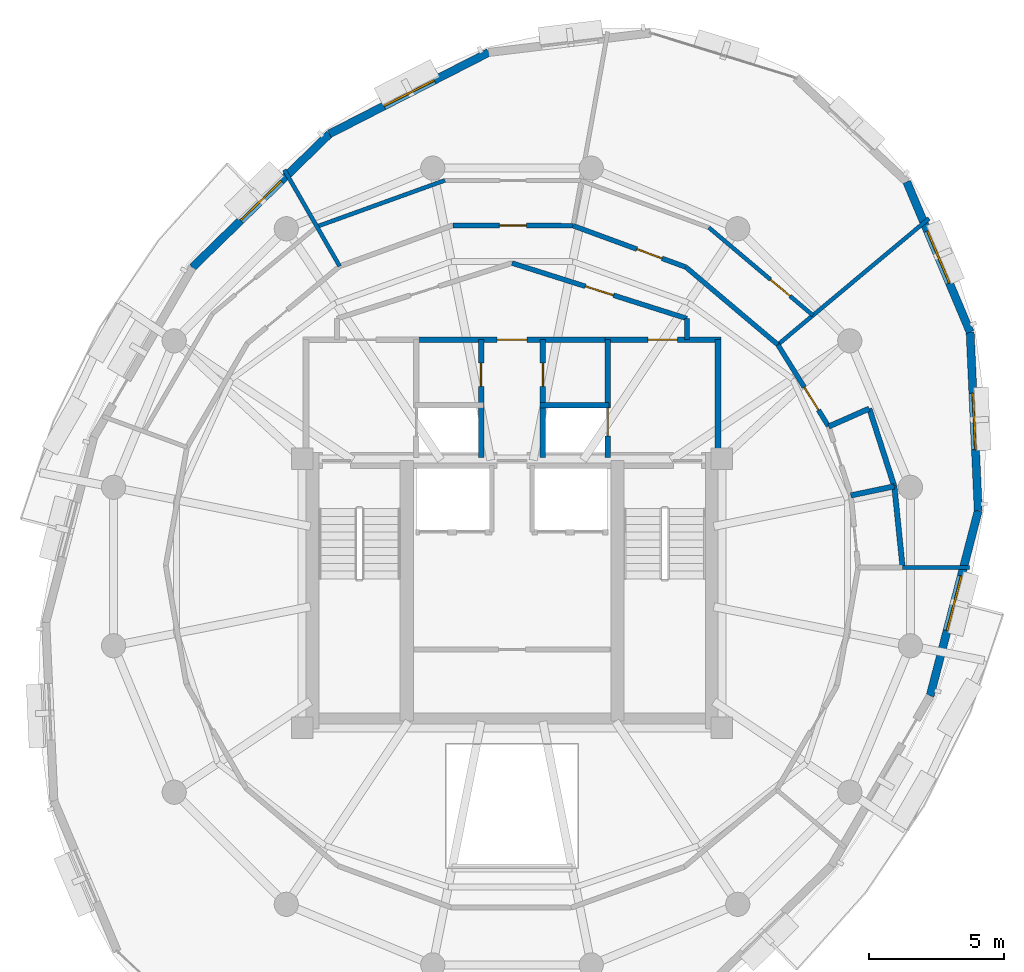
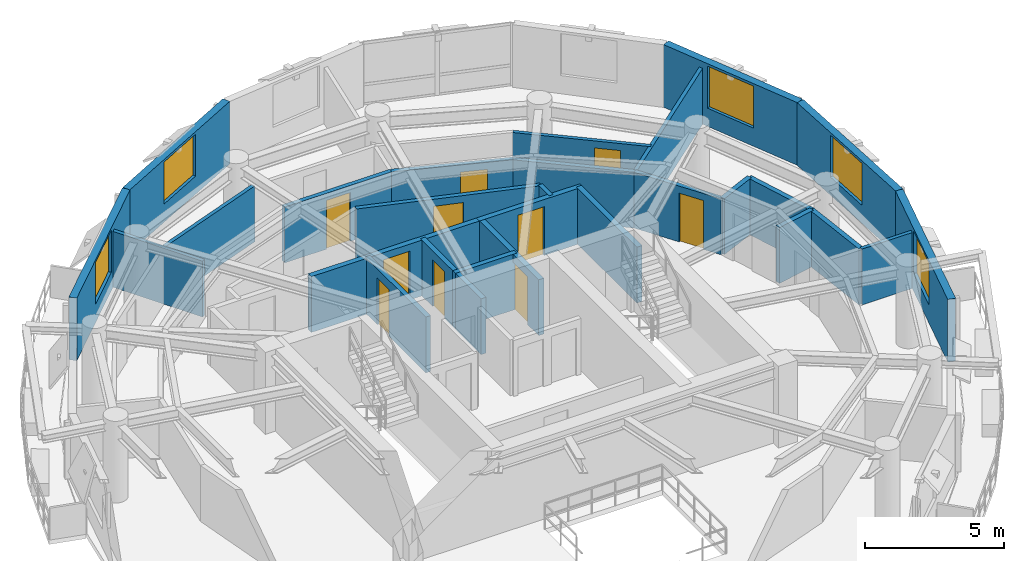
# One storey, part 8 of 11: 27 walls, 10 doors, 5 windows, 15 openings.
"""IFC4 building model written with IfcOpenShell, lengths in metres."""

from ifc_helpers import new_model, si_unit, direction, frame, frame_2d, origin, place, context, subcontext, project, spatial, rectangle, extrude, material, layer, layer_set, type_object, element, fill, save


model = new_model("IFC4")

# Units and contexts
model_context = context("Model", 3, precision=1e-05, world=origin(), true_north=direction((0.0, 1.0)))
body_context = subcontext(model_context, "Body", "Model", "MODEL_VIEW")
ifc_project = project(units=[si_unit("LENGTHUNIT", "METRE"), si_unit("AREAUNIT", "SQUARE_METRE"), si_unit("VOLUMEUNIT", "CUBIC_METRE"), si_unit("PLANEANGLEUNIT", "RADIAN"), si_unit("MASSUNIT", "GRAM", prefix="KILO"), si_unit("THERMODYNAMICTEMPERATUREUNIT", "KELVIN"), si_unit("POWERUNIT", "WATT")], contexts=[model_context])

# Site, building, storey
site_placement = place(None, origin())
site = spatial("IfcSite", under=ifc_project, at=site_placement, CompositionType="ELEMENT")
building_placement = place(site_placement, origin())
building = spatial("IfcBuilding", under=site, at=building_placement, Name="Ocrelia Relay Tower", CompositionType="ELEMENT")
storey_placement = place(building_placement, frame((0.0, 0.0, 277.199951171875)))
storey = spatial("IfcBuildingStorey", under=building, at=storey_placement, Name="L69", CompositionType="ELEMENT", Elevation=277.199951171875)

# Wall
ifc_material_1 = material(Name="Gypsum Fireboard Partition EI60", Category="gypsum")
ifc_layer_1 = layer(ifc_material_1, 0.179931640625, Name="Gypsum Fireboard Partition EI60")
ifc_layer_set_1 = layer_set([ifc_layer_1], Name="Gypsum Fireboard Partition EI60")
wall_type_1 = type_object("IfcWallType", Name="W-CORR-EI60-180", PredefinedType="PARTITIONING", material=ifc_layer_set_1)
wall_1_placement = place(storey_placement, frame((40.5, 35.218994140625, 0.0), z_axis=(0.0, 0.0, 1.0), x_axis=(0.0, -1.0, 0.0)))
element("IfcWall", 1, at=wall_1_placement, inside=storey, type_object=wall_type_1, Name="L69 Smoke Lobby East Return", PredefinedType="PARTITIONING", context=body_context, shape_type="SweptSolid", body=[
    extrude(rectangle(XDim=0.7890625, YDim=0.179931640625, at=frame_2d((0.39453125, 0.0))), origin(), (0.0, 0.0, 1.0), 2.4599609375),
])

# Wall, opening, door
wall_2_placement = place(storey_placement, frame((34.0, 37.280029296875, 0.0), z_axis=(0.0, 0.0, 1.0), x_axis=(0.953228121756, -0.302251795518, 0.0)))
wall_2 = element("IfcWall", 2, at=wall_2_placement, inside=storey, type_object=wall_type_1, Name="L69 North Smoke Lobby E Screen Wall", PredefinedType="PARTITIONING", context=body_context, shape_type="SweptSolid", body=[
    extrude(rectangle(XDim=6.81884765625, YDim=0.179931640625, at=frame_2d((3.409423828125, 0.0))), origin(), (0.0, 0.0, 1.0), 2.4599609375),
])
opening_1_placement = place(wall_2_placement, frame((2.859619140625, 0.0, 0.0)))
opening_1 = element("IfcOpeningElement", 3, at=opening_1_placement, cuts=wall_2, Name="Opening D-FD60", PredefinedType="OPENING", context=body_context, shape_type="SweptSolid", body=[
    extrude(rectangle(XDim=1.10009765625, YDim=2.14990234375, at=frame_2d((0.550048828125, 1.074951171875))), frame((0.0, 0.10009765625, 0.0), z_axis=(0.0, -1.0, 0.0), x_axis=(1.0, 0.0, 0.0)), (0.0, 0.0, 1.0), 0.199951171875),
])
ifc_material_2 = material(Name="Timber-core 60-min acoustic fire door", Category="wood")
door_type_1 = type_object("IfcDoorType", Name="DR-LOBBY-FD60-1100", OperationType="NOTDEFINED", PredefinedType="DOOR", material=ifc_material_2)
door_1_placement = place(opening_1_placement, origin())
door_1 = element("IfcDoor", 4, at=door_1_placement, inside=storey, type_object=door_type_1, Name="L69 North Smoke Lobby E Fire Door", OperationType="SINGLE_SWING_LEFT", OverallHeight=2.14990234375, OverallWidth=1.10009765625, PredefinedType="DOOR", context=body_context, shape_type="SweptSolid", body=[
    extrude(rectangle(XDim=1.10009765625, YDim=2.14990234375, at=frame_2d((0.550048828125, 1.074951171875))), frame((0.0, 0.02490234375, 0.0), z_axis=(0.0, -1.0, 0.0), x_axis=(1.0, 0.0, 0.0)), (0.0, 0.0, 1.0), 0.050048828125),
])
fill(opening_1, door_1)

wall_3_placement = place(storey_placement, frame((45.77099609375, 31.203857421875, 0.0), z_axis=(0.0, 0.0, 1.0), x_axis=(-0.527693632299, 0.849434771145, 0.0)))
wall_3 = element("IfcWall", 5, at=wall_3_placement, inside=storey, type_object=wall_type_1, Name="L69 Executive Catering Kitchen Corridor Partition 1", PredefinedType="PARTITIONING", context=body_context, shape_type="SweptSolid", body=[
    extrude(rectangle(XDim=3.582275390625, YDim=0.179931640625, at=frame_2d((1.791015625, 0.0))), origin(), (0.0, 0.0, 1.0), 2.4599609375),
])
opening_2_placement = place(wall_3_placement, frame((0.720703125, 0.0, 0.0)))
opening_2 = element("IfcOpeningElement", 6, at=opening_2_placement, cuts=wall_3, Name="Opening D-RM100", PredefinedType="OPENING", context=body_context, shape_type="SweptSolid", body=[
    extrude(rectangle(XDim=1.0, YDim=2.14990234375, at=frame_2d((0.5, 1.074951171875))), frame((0.0, 0.10009765625, 0.0), z_axis=(0.0, -1.0, 0.0), x_axis=(1.0, 0.0, 0.0)), (0.0, 0.0, 1.0), 0.199951171875),
])
ifc_material_3 = material(Name="Acoustic oak veneer fire door", Category="wood")
door_type_2 = type_object("IfcDoorType", Name="DR-ROOM-FD60-1000", OperationType="NOTDEFINED", PredefinedType="DOOR", material=ifc_material_3)
door_2_placement = place(opening_2_placement, origin())
door_2 = element("IfcDoor", 7, at=door_2_placement, inside=storey, type_object=door_type_2, Name="L69 Executive Catering Kitchen Entrance Door", OperationType="SINGLE_SWING_RIGHT", OverallHeight=2.14990234375, OverallWidth=1.0, PredefinedType="DOOR", context=body_context, shape_type="SweptSolid", body=[
    extrude(rectangle(XDim=1.0, YDim=2.14990234375, at=frame_2d((0.5, 1.074951171875))), frame((0.0, 0.02490234375, 0.0), z_axis=(0.0, -1.0, 0.0), x_axis=(1.0, 0.0, 0.0)), (0.0, 0.0, 1.0), 0.050048828125),
])
fill(opening_2, door_2)

# Wall
wall_4_placement = place(storey_placement, frame((43.880615234375, 34.246826171875, 0.0), z_axis=(0.0, 0.0, 1.0), x_axis=(-0.764357098744, 0.644793164976, 0.0)))
element("IfcWall", 8, at=wall_4_placement, inside=storey, type_object=wall_type_1, Name="L69 Executive Dining Salon Corridor Partition 1", PredefinedType="PARTITIONING", context=body_context, shape_type="SweptSolid", body=[
    extrude(rectangle(XDim=4.4697265625, YDim=0.179931640625, at=frame_2d((2.23486328125, 0.0))), origin(), (0.0, 0.0, 1.0), 2.4599609375),
])

# Wall, opening, door
wall_5_placement = place(storey_placement, frame((40.464111328125, 37.12890625, 0.0), z_axis=(0.0, 0.0, 1.0), x_axis=(-0.938786245945, 0.3445001951, 0.0)))
wall_5 = element("IfcWall", 9, at=wall_5_placement, inside=storey, type_object=wall_type_1, Name="L69 Executive Dining Salon Corridor Partition 2", PredefinedType="PARTITIONING", context=body_context, shape_type="SweptSolid", body=[
    extrude(rectangle(XDim=4.4697265625, YDim=0.179931640625, at=frame_2d((2.23486328125, 0.0))), origin(), (0.0, 0.0, 1.0), 2.4599609375),
])
opening_3_placement = place(wall_5_placement, frame((0.9423828125, 0.0, 0.0)))
opening_3 = element("IfcOpeningElement", 10, at=opening_3_placement, cuts=wall_5, Name="Opening D-RM100", PredefinedType="OPENING", context=body_context, shape_type="SweptSolid", body=[
    extrude(rectangle(XDim=1.0, YDim=2.14990234375, at=frame_2d((0.5, 1.074951171875))), frame((0.0, 0.10009765625, 0.0), z_axis=(0.0, -1.0, 0.0), x_axis=(1.0, 0.0, 0.0)), (0.0, 0.0, 1.0), 0.199951171875),
])
door_3_placement = place(opening_3_placement, origin())
door_3 = element("IfcDoor", 11, at=door_3_placement, inside=storey, type_object=door_type_2, Name="L69 Executive Dining Salon Entrance Door", OperationType="SINGLE_SWING_LEFT", OverallHeight=2.14990234375, OverallWidth=1.0, PredefinedType="DOOR", context=body_context, shape_type="SweptSolid", body=[
    extrude(rectangle(XDim=1.0, YDim=2.14990234375, at=frame_2d((0.5, 1.074951171875))), frame((0.0, 0.02490234375, 0.0), z_axis=(0.0, -1.0, 0.0), x_axis=(1.0, 0.0, 0.0)), (0.0, 0.0, 1.0), 0.050048828125),
])
fill(opening_3, door_3)

wall_6_placement = place(storey_placement, frame((36.26806640625, 38.668701171875, 0.0), z_axis=(0.0, 0.0, 1.0), x_axis=(-0.999996563088, 0.002621795665, 0.0)))
wall_6 = element("IfcWall", 12, at=wall_6_placement, inside=storey, type_object=wall_type_1, Name="L69 Hospitality Banquet Room Corridor Partition 1", PredefinedType="PARTITIONING", context=body_context, shape_type="SweptSolid", body=[
    extrude(rectangle(XDim=4.4697265625, YDim=0.179931640625, at=frame_2d((2.23486328125, 0.0))), origin(), (0.0, 0.0, 1.0), 2.4599609375),
])
opening_4_placement = place(wall_6_placement, frame((1.73486328125, 0.0, 0.0)))
opening_4 = element("IfcOpeningElement", 13, at=opening_4_placement, cuts=wall_6, Name="Opening D-RM100", PredefinedType="OPENING", context=body_context, shape_type="SweptSolid", body=[
    extrude(rectangle(XDim=1.0, YDim=2.14990234375, at=frame_2d((0.5, 1.074951171875))), frame((0.0, 0.10009765625, 0.0), z_axis=(0.0, -1.0, 0.0), x_axis=(1.0, 0.0, 0.0)), (0.0, 0.0, 1.0), 0.199951171875),
])
door_4_placement = place(opening_4_placement, origin())
door_4 = element("IfcDoor", 14, at=door_4_placement, inside=storey, type_object=door_type_2, Name="L69 Hospitality Banquet Room Entrance Door", OperationType="SINGLE_SWING_LEFT", OverallHeight=2.14990234375, OverallWidth=1.0, PredefinedType="DOOR", context=body_context, shape_type="SweptSolid", body=[
    extrude(rectangle(XDim=1.0, YDim=2.14990234375, at=frame_2d((0.5, 1.074951171875))), frame((0.0, 0.02490234375, 0.0), z_axis=(0.0, -1.0, 0.0), x_axis=(1.0, 0.0, 0.0)), (0.0, 0.0, 1.0), 0.050048828125),
])
fill(opening_4, door_4)

# Wall, opening, window
ifc_material_4 = material(Name="Precast concrete C40/50 with oxide terracotta", Category="masonry")
ifc_layer_2 = layer(ifc_material_4, 0.300048828125, Name="Precast concrete C40/50 with oxide terracotta")
ifc_layer_set_2 = layer_set([ifc_layer_2], Name="Precast concrete C40/50 with oxide terracotta")
wall_type_2 = type_object("IfcWallType", Name="W-EXT-TERR-300", PredefinedType="SOLIDWALL", material=ifc_layer_set_2)
wall_7_placement = place(storey_placement, frame((33.131103515625, 45.1083984375, 0.0), z_axis=(0.0, 0.0, 1.0), x_axis=(-0.890243311172, -0.455485287263, 0.0)))
wall_7 = element("IfcWall", 15, at=wall_7_placement, inside=storey, type_object=wall_type_2, Name="L69 Oxide Terracotta Facade Wall 03", PredefinedType="SOLIDWALL", context=body_context, shape_type="SweptSolid", body=[
    extrude(rectangle(XDim=6.643310546875, YDim=0.300048828125, at=frame_2d((3.32177734375, 0.0))), origin(), (0.0, 0.0, 1.0), 2.760009765625),
])
opening_5_placement = place(wall_7_placement, frame((2.27197265625, 0.0, 0.800048828125)))
opening_5 = element("IfcOpeningElement", 16, at=opening_5_placement, cuts=wall_7, Name="Opening W-07", PredefinedType="OPENING", context=body_context, shape_type="SweptSolid", body=[
    extrude(rectangle(XDim=2.10009765625, YDim=1.85009765625, at=frame_2d((1.050048828125, 0.925048828125))), frame((0.0, 0.16015625, 0.0), z_axis=(0.0, -1.0, 0.0), x_axis=(1.0, 0.0, 0.0)), (0.0, 0.0, 1.0), 0.320068359375),
])
ifc_material_5 = material(Name="Clear double-glazed low-E glass", Category="glass")
window_type = type_object("IfcWindowType", Name="WIN-Z4-2100x2200", PartitioningType="DOUBLE_PANEL_VERTICAL", PredefinedType="WINDOW", material=ifc_material_5)
window_1_placement = place(opening_5_placement, origin())
window_1 = element("IfcWindow", 17, at=window_1_placement, inside=storey, type_object=window_type, Name="L69 Facade Module Window 03", OverallHeight=1.85009765625, OverallWidth=2.10009765625, PartitioningType="SINGLE_PANEL", PredefinedType="WINDOW", context=body_context, shape_type="SweptSolid", body=[
    extrude(rectangle(XDim=2.10009765625, YDim=1.85009765625, at=frame_2d((1.050048828125, 0.925048828125))), frame((0.0, 0.030029296875, 0.0), z_axis=(0.0, -1.0, 0.0), x_axis=(1.0, 0.0, 0.0)), (0.0, 0.0, 1.0), 0.06005859375),
])
fill(opening_5, window_1)

wall_8_placement = place(storey_placement, frame((27.217041015625, 42.08251953125, 0.0), z_axis=(0.0, 0.0, 1.0), x_axis=(-0.716208919205, -0.697885939142, 0.0)))
wall_8 = element("IfcWall", 18, at=wall_8_placement, inside=storey, type_object=wall_type_2, Name="L69 Oxide Terracotta Facade Wall 04", PredefinedType="SOLIDWALL", context=body_context, shape_type="SweptSolid", body=[
    extrude(rectangle(XDim=7.115234375, YDim=0.300048828125, at=frame_2d((3.5576171875, 0.0))), origin(), (0.0, 0.0, 1.0), 2.760009765625),
])
opening_6_placement = place(wall_8_placement, frame((2.508056640625, 0.0, 0.800048828125)))
opening_6 = element("IfcOpeningElement", 19, at=opening_6_placement, cuts=wall_8, Name="Opening W-07", PredefinedType="OPENING", context=body_context, shape_type="SweptSolid", body=[
    extrude(rectangle(XDim=2.10009765625, YDim=1.85009765625, at=frame_2d((1.050048828125, 0.925048828125))), frame((0.0, 0.16015625, 0.0), z_axis=(0.0, -1.0, 0.0), x_axis=(1.0, 0.0, 0.0)), (0.0, 0.0, 1.0), 0.320068359375),
])
window_2_placement = place(opening_6_placement, origin())
window_2 = element("IfcWindow", 20, at=window_2_placement, inside=storey, type_object=window_type, Name="L69 Facade Module Window 04", OverallHeight=1.85009765625, OverallWidth=2.10009765625, PartitioningType="SINGLE_PANEL", PredefinedType="WINDOW", context=body_context, shape_type="SweptSolid", body=[
    extrude(rectangle(XDim=2.10009765625, YDim=1.85009765625, at=frame_2d((1.050048828125, 0.925048828125))), frame((0.0, 0.030029296875, 0.0), z_axis=(0.0, -1.0, 0.0), x_axis=(1.0, 0.0, 0.0)), (0.0, 0.0, 1.0), 0.06005859375),
])
fill(opening_6, window_2)

wall_9_placement = place(storey_placement, frame((49.5419921875, 21.189697265625, 0.0), z_axis=(0.0, 0.0, 1.0), x_axis=(0.251374151945, 0.967889991546, 0.0)))
wall_9 = element("IfcWall", 21, at=wall_9_placement, inside=storey, type_object=wall_type_2, Name="L69 Oxide Terracotta Facade Wall 15", PredefinedType="SOLIDWALL", context=body_context, shape_type="SweptSolid", body=[
    extrude(rectangle(XDim=7.115234375, YDim=0.300048828125, at=frame_2d((3.5576171875, 0.0))), origin(), (0.0, 0.0, 1.0), 2.760009765625),
])
opening_7_placement = place(wall_9_placement, frame((2.508056640625, 0.0, 0.800048828125)))
opening_7 = element("IfcOpeningElement", 22, at=opening_7_placement, cuts=wall_9, Name="Opening W-07", PredefinedType="OPENING", context=body_context, shape_type="SweptSolid", body=[
    extrude(rectangle(XDim=2.10009765625, YDim=1.85009765625, at=frame_2d((1.050048828125, 0.925048828125))), frame((0.0, 0.16015625, 0.0), z_axis=(0.0, -1.0, 0.0), x_axis=(1.0, 0.0, 0.0)), (0.0, 0.0, 1.0), 0.320068359375),
])
window_3_placement = place(opening_7_placement, origin())
window_3 = element("IfcWindow", 23, at=window_3_placement, inside=storey, type_object=window_type, Name="L69 Facade Module Window 15", OverallHeight=1.85009765625, OverallWidth=2.10009765625, PartitioningType="SINGLE_PANEL", PredefinedType="WINDOW", context=body_context, shape_type="SweptSolid", body=[
    extrude(rectangle(XDim=2.10009765625, YDim=1.85009765625, at=frame_2d((1.050048828125, 0.925048828125))), frame((0.0, 0.030029296875, 0.0), z_axis=(0.0, -1.0, 0.0), x_axis=(1.0, 0.0, 0.0)), (0.0, 0.0, 1.0), 0.06005859375),
])
fill(opening_7, window_3)

wall_10_placement = place(storey_placement, frame((51.33056640625, 28.076416015625, 0.0), z_axis=(0.0, 0.0, 1.0), x_axis=(-0.045424331504, 0.998967782317, 0.0)))
wall_10 = element("IfcWall", 24, at=wall_10_placement, inside=storey, type_object=wall_type_2, Name="L69 Oxide Terracotta Facade Wall 16", PredefinedType="SOLIDWALL", context=body_context, shape_type="SweptSolid", body=[
    extrude(rectangle(XDim=6.64306640625, YDim=0.300048828125, at=frame_2d((3.321533203125, 0.0))), origin(), (0.0, 0.0, 1.0), 2.760009765625),
])
opening_8_placement = place(wall_10_placement, frame((2.27197265625, 0.0, 0.800048828125)))
opening_8 = element("IfcOpeningElement", 25, at=opening_8_placement, cuts=wall_10, Name="Opening W-07", PredefinedType="OPENING", context=body_context, shape_type="SweptSolid", body=[
    extrude(rectangle(XDim=2.10009765625, YDim=1.85009765625, at=frame_2d((1.050048828125, 0.925048828125))), frame((0.0, 0.16015625, 0.0), z_axis=(0.0, -1.0, 0.0), x_axis=(1.0, 0.0, 0.0)), (0.0, 0.0, 1.0), 0.320068359375),
])
window_4_placement = place(opening_8_placement, origin())
window_4 = element("IfcWindow", 26, at=window_4_placement, inside=storey, type_object=window_type, Name="L69 Facade Module Window 16", OverallHeight=1.85009765625, OverallWidth=2.10009765625, PartitioningType="SINGLE_PANEL", PredefinedType="WINDOW", context=body_context, shape_type="SweptSolid", body=[
    extrude(rectangle(XDim=2.10009765625, YDim=1.85009765625, at=frame_2d((1.050048828125, 0.925048828125))), frame((0.0, 0.030029296875, 0.0), z_axis=(0.0, -1.0, 0.0), x_axis=(1.0, 0.0, 0.0)), (0.0, 0.0, 1.0), 0.06005859375),
])
fill(opening_8, window_4)

wall_11_placement = place(storey_placement, frame((51.02880859375, 34.712646484375, 0.0), z_axis=(0.0, 0.0, 1.0), x_axis=(-0.388609687406, 0.921402469529, 0.0)))
wall_11 = element("IfcWall", 27, at=wall_11_placement, inside=storey, type_object=wall_type_2, Name="L69 Oxide Terracotta Facade Wall 17", PredefinedType="SOLIDWALL", context=body_context, shape_type="SweptSolid", body=[
    extrude(rectangle(XDim=6.06201171875, YDim=0.300048828125, at=frame_2d((3.031005859375, 0.0))), origin(), (0.0, 0.0, 1.0), 2.760009765625),
])
opening_9_placement = place(wall_11_placement, frame((1.98095703125, 0.0, 0.800048828125)))
opening_9 = element("IfcOpeningElement", 28, at=opening_9_placement, cuts=wall_11, Name="Opening W-07", PredefinedType="OPENING", context=body_context, shape_type="SweptSolid", body=[
    extrude(rectangle(XDim=2.10009765625, YDim=1.85009765625, at=frame_2d((1.050048828125, 0.925048828125))), frame((0.0, 0.16015625, 0.0), z_axis=(0.0, -1.0, 0.0), x_axis=(1.0, 0.0, 0.0)), (0.0, 0.0, 1.0), 0.320068359375),
])
window_5_placement = place(opening_9_placement, origin())
window_5 = element("IfcWindow", 29, at=window_5_placement, inside=storey, type_object=window_type, Name="L69 Facade Module Window 17", OverallHeight=1.85009765625, OverallWidth=2.10009765625, PartitioningType="SINGLE_PANEL", PredefinedType="WINDOW", context=body_context, shape_type="SweptSolid", body=[
    extrude(rectangle(XDim=2.10009765625, YDim=1.85009765625, at=frame_2d((1.050048828125, 0.925048828125))), frame((0.0, 0.030029296875, 0.0), z_axis=(0.0, -1.0, 0.0), x_axis=(1.0, 0.0, 0.0)), (0.0, 0.0, 1.0), 0.06005859375),
])
fill(opening_9, window_5)

# Wall, opening, door
ifc_material_6 = material(Name="Concrete C50/60", Category="concrete")
ifc_layer_3 = layer(ifc_material_6, 0.219970703125, Name="Concrete C50/60")
ifc_layer_set_3 = layer_set([ifc_layer_3], Name="Concrete C50/60")
wall_type_3 = type_object("IfcWallType", Name="W-FFL-EI120-220", PredefinedType="SOLIDWALL", material=ifc_layer_set_3)
wall_12_placement = place(storey_placement, frame((37.56005859375, 30.050048828125, 0.0), z_axis=(0.0, 0.0, 1.0), x_axis=(0.0, 1.0, 0.0)))
wall_12 = element("IfcWall", 30, at=wall_12_placement, inside=storey, type_object=wall_type_3, Name="L69 E Fire Service Lift Lobby West Wall", PredefinedType="SOLIDWALL", context=body_context, shape_type="SweptSolid", body=[
    extrude(rectangle(XDim=4.3798828125, YDim=0.219970703125, at=frame_2d((2.18994140625, 0.0))), origin(), (0.0, 0.0, 1.0), 2.4599609375),
])
opening_10_placement = place(wall_12_placement, frame((0.800048828125, 0.0, 0.0)))
opening_10 = element("IfcOpeningElement", 31, at=opening_10_placement, cuts=wall_12, Name="Opening LD-FFL2", PredefinedType="OPENING", context=body_context, shape_type="SweptSolid", body=[
    extrude(rectangle(XDim=1.050048828125, YDim=2.10009765625, at=frame_2d((0.52490234375, 1.050048828125))), frame((0.0, 0.1201171875, 0.0), z_axis=(0.0, -1.0, 0.0), x_axis=(1.0, 0.0, 0.0)), (0.0, 0.0, 1.0), 0.239990234375),
])
ifc_material_7 = material(Name="Brushed stainless steel S355 lift landing door", Category="steel")
door_type_3 = type_object("IfcDoorType", Name="DR-LIFT-LAND-1050", OperationType="DOUBLE_DOOR_SLIDING", PredefinedType="USERDEFINED", material=ifc_material_7)
door_5_placement = place(opening_10_placement, origin())
door_5 = element("IfcDoor", 32, at=door_5_placement, inside=storey, type_object=door_type_3, Name="L69 Firefighting Lift FFL2 Sliding Landing Door", ObjectType="LANDING DOOR", OperationType="DOUBLE_DOOR_SLIDING", OverallHeight=2.10009765625, OverallWidth=1.050048828125, PredefinedType="USERDEFINED", context=body_context, shape_type="SweptSolid", body=[
    extrude(rectangle(XDim=1.050048828125, YDim=2.10009765625, at=frame_2d((0.52490234375, 1.050048828125))), frame((0.0, 0.02490234375, 0.0), z_axis=(0.0, -1.0, 0.0), x_axis=(1.0, 0.0, 0.0)), (0.0, 0.0, 1.0), 0.050048828125),
])
fill(opening_10, door_5)

# Wall
wall_13_placement = place(storey_placement, frame((41.64990234375, 30.050048828125, 0.0), z_axis=(0.0, 0.0, 1.0), x_axis=(0.0, 1.0, 0.0)))
element("IfcWall", 33, at=wall_13_placement, inside=storey, type_object=wall_type_3, Name="L69 E Fire Service Lift Lobby East Wall", PredefinedType="SOLIDWALL", context=body_context, shape_type="SweptSolid", body=[
    extrude(rectangle(XDim=4.3798828125, YDim=0.219970703125, at=frame_2d((2.18994140625, 0.0))), origin(), (0.0, 0.0, 1.0), 2.4599609375),
])

# Wall, opening, door
wall_14_placement = place(storey_placement, frame((37.449951171875, 34.429931640625, 0.0), z_axis=(0.0, 0.0, 1.0), x_axis=(1.0, 0.0, 0.0)))
wall_14 = element("IfcWall", 34, at=wall_14_placement, inside=storey, type_object=wall_type_3, Name="L69 E Fire Service Lift Lobby North Wall", PredefinedType="SOLIDWALL", context=body_context, shape_type="SweptSolid", body=[
    extrude(rectangle(XDim=4.31005859375, YDim=0.219970703125, at=frame_2d((2.155029296875, 0.0))), origin(), (0.0, 0.0, 1.0), 2.4599609375),
])
opening_11_placement = place(wall_14_placement, frame((1.60009765625, 0.0, 0.0)))
opening_11 = element("IfcOpeningElement", 35, at=opening_11_placement, cuts=wall_14, Name="Opening D-FD60", PredefinedType="OPENING", context=body_context, shape_type="SweptSolid", body=[
    extrude(rectangle(XDim=1.10009765625, YDim=2.14990234375, at=frame_2d((0.550048828125, 1.074951171875))), frame((0.0, 0.1201171875, 0.0), z_axis=(0.0, -1.0, 0.0), x_axis=(1.0, 0.0, 0.0)), (0.0, 0.0, 1.0), 0.239990234375),
])
door_6_placement = place(opening_11_placement, origin())
door_6 = element("IfcDoor", 36, at=door_6_placement, inside=storey, type_object=door_type_1, Name="L69 E Fire Service Lift Lobby Exit Door", OperationType="SINGLE_SWING_RIGHT", OverallHeight=2.14990234375, OverallWidth=1.10009765625, PredefinedType="DOOR", context=body_context, shape_type="SweptSolid", body=[
    extrude(rectangle(XDim=1.10009765625, YDim=2.14990234375, at=frame_2d((0.550048828125, 1.074951171875))), frame((0.0, 0.02490234375, 0.0), z_axis=(0.0, -1.0, 0.0), x_axis=(1.0, 0.0, 0.0)), (0.0, 0.0, 1.0), 0.050048828125),
])
fill(opening_11, door_6)

wall_15_placement = place(storey_placement, frame((30.43994140625, 34.429931640625, 0.0), z_axis=(0.0, 0.0, 1.0), x_axis=(1.0, 0.0, 0.0)))
wall_15 = element("IfcWall", 37, at=wall_15_placement, inside=storey, type_object=wall_type_3, Name="L69 North Core Vestibule Wall", PredefinedType="SOLIDWALL", context=body_context, shape_type="SweptSolid", body=[
    extrude(rectangle(XDim=7.1201171875, YDim=0.219970703125, at=frame_2d((3.56005859375, 0.0))), origin(), (0.0, 0.0, 1.0), 2.4599609375),
])
opening_12_placement = place(wall_15_placement, frame((3.010009765625, 0.0, 0.0)))
opening_12 = element("IfcOpeningElement", 38, at=opening_12_placement, cuts=wall_15, Name="Opening D-FD60", PredefinedType="OPENING", context=body_context, shape_type="SweptSolid", body=[
    extrude(rectangle(XDim=1.10009765625, YDim=2.14990234375, at=frame_2d((0.550048828125, 1.074951171875))), frame((0.0, 0.1201171875, 0.0), z_axis=(0.0, -1.0, 0.0), x_axis=(1.0, 0.0, 0.0)), (0.0, 0.0, 1.0), 0.239990234375),
])
door_7_placement = place(opening_12_placement, origin())
door_7 = element("IfcDoor", 39, at=door_7_placement, inside=storey, type_object=door_type_1, Name="L69 North Core Vestibule Corridor Door", OperationType="SINGLE_SWING_RIGHT", OverallHeight=2.14990234375, OverallWidth=1.10009765625, PredefinedType="DOOR", context=body_context, shape_type="SweptSolid", body=[
    extrude(rectangle(XDim=1.10009765625, YDim=2.14990234375, at=frame_2d((0.550048828125, 1.074951171875))), frame((0.0, 0.02490234375, 0.0), z_axis=(0.0, -1.0, 0.0), x_axis=(1.0, 0.0, 0.0)), (0.0, 0.0, 1.0), 0.050048828125),
])
fill(opening_12, door_7)

# Walls
ifc_material_8 = material(Name="Acoustic Fireboard Partition EI60", Category="gypsum")
ifc_layer_4 = layer(ifc_material_8, 0.14990234375, Name="Acoustic Fireboard Partition EI60")
ifc_layer_set_4 = layer_set([ifc_layer_4], Name="Acoustic Fireboard Partition EI60")
wall_type_4 = type_object("IfcWallType", Name="W-PART-150", PredefinedType="PARTITIONING", material=ifc_layer_set_4)
wall_16_placement = place(storey_placement, frame((48.52001953125, 25.9619140625, 0.0), z_axis=(0.0, 0.0, 1.0), x_axis=(0.9999967237, -0.002559802581, 0.0)))
element("IfcWall", 40, at=wall_16_placement, inside=storey, type_object=wall_type_4, Name="L69 Executive Catering Kitchen Radial Partition", PredefinedType="PARTITIONING", context=body_context, shape_type="SweptSolid", body=[
    extrude(rectangle(XDim=2.479736328125, YDim=0.14990234375, at=frame_2d((1.23974609375, 0.0))), origin(), (0.0, 0.0, 1.0), 2.4599609375),
])
wall_17_placement = place(storey_placement, frame((43.880615234375, 34.246826171875, 0.0), z_axis=(0.0, 0.0, 1.0), x_axis=(0.767720640374, 0.640784689536, 0.0)))
element("IfcWall", 41, at=wall_17_placement, inside=storey, type_object=wall_type_4, Name="L69 Executive Catering Kitchen Radial Partition", PredefinedType="PARTITIONING", context=body_context, shape_type="SweptSolid", body=[
    extrude(rectangle(XDim=7.318359375, YDim=0.14990234375, at=frame_2d((3.6591796875, 0.0))), origin(), (0.0, 0.0, 1.0), 2.4599609375),
])

# Wall, opening, door
wall_18_placement = place(storey_placement, frame((45.185791015625, 35.336181640625, 0.0), z_axis=(0.0, 0.0, 1.0), x_axis=(-0.764355389284, 0.644795191415, 0.0)))
wall_18 = element("IfcWall", 42, at=wall_18_placement, inside=storey, type_object=wall_type_4, Name="L69 Perimeter Executive Dining Salon Mid-Ring Partition 1", PredefinedType="PARTITIONING", context=body_context, shape_type="SweptSolid", body=[
    extrude(rectangle(XDim=5.06005859375, YDim=0.14990234375, at=frame_2d((2.530029296875, 0.0))), origin(), (0.0, 0.0, 1.0), 2.4599609375),
])
opening_13_placement = place(wall_18_placement, frame((1.117431640625, 0.0, 0.0)))
opening_13 = element("IfcOpeningElement", 43, at=opening_13_placement, cuts=wall_18, Name="Opening D-RM95", PredefinedType="OPENING", context=body_context, shape_type="SweptSolid", body=[
    extrude(rectangle(XDim=0.949951171875, YDim=2.14990234375, at=frame_2d((0.47509765625, 1.074951171875))), frame((0.0, 0.0849609375, 0.0), z_axis=(0.0, -1.0, 0.0), x_axis=(1.0, 0.0, 0.0)), (0.0, 0.0, 1.0), 0.169921875),
])
door_type_4 = type_object("IfcDoorType", Name="DR-ROOM-950", OperationType="NOTDEFINED", PredefinedType="DOOR", material=ifc_material_3)
door_8_placement = place(opening_13_placement, origin())
door_8 = element("IfcDoor", 44, at=door_8_placement, inside=storey, type_object=door_type_4, Name="L69 Perimeter Executive Dining Salon Connecting Door", OperationType="SINGLE_SWING_RIGHT", OverallHeight=2.14990234375, OverallWidth=0.949951171875, PredefinedType="DOOR", context=body_context, shape_type="SweptSolid", body=[
    extrude(rectangle(XDim=0.949951171875, YDim=2.14990234375, at=frame_2d((0.47509765625, 1.074951171875))), frame((0.0, 0.02490234375, 0.0), z_axis=(0.0, -1.0, 0.0), x_axis=(1.0, 0.0, 0.0)), (0.0, 0.0, 1.0), 0.050048828125),
])
fill(opening_13, door_8)

# Walls
wall_19_placement = place(storey_placement, frame((27.59423828125, 37.16259765625, 0.0), z_axis=(0.0, 0.0, 1.0), x_axis=(-0.497723411818, 0.867335808859, 0.0)))
element("IfcWall", 45, at=wall_19_placement, inside=storey, type_object=wall_type_4, Name="L69 Hospitality Banquet Room Radial Partition", PredefinedType="PARTITIONING", context=body_context, shape_type="SweptSolid", body=[
    extrude(rectangle(XDim=4.129638671875, YDim=0.14990234375, at=frame_2d((2.06494140625, 0.0))), origin(), (0.0, 0.0, 1.0), 2.4599609375),
])
wall_20_placement = place(storey_placement, frame((31.507568359375, 40.355224609375, 0.0), z_axis=(0.0, 0.0, 1.0), x_axis=(-0.940582581296, -0.339565027297, 0.0)))
element("IfcWall", 46, at=wall_20_placement, inside=storey, type_object=wall_type_4, Name="L69 Perimeter Hospitality Banquet Room Mid-Ring Partition 2", PredefinedType="PARTITIONING", context=body_context, shape_type="SweptSolid", body=[
    extrude(rectangle(XDim=5.060302734375, YDim=0.14990234375, at=frame_2d((2.5302734375, 0.0))), origin(), (0.0, 0.0, 1.0), 2.4599609375),
])
ifc_material_9 = material(Name="Moisture-Resistant Fireboard Chase Wall EI60", Category="gypsum")
ifc_layer_5 = layer(ifc_material_9, 0.199951171875, Name="Moisture-Resistant Fireboard Chase Wall EI60")
ifc_layer_set_5 = layer_set([ifc_layer_5], Name="Moisture-Resistant Fireboard Chase Wall EI60")
wall_type_5 = type_object("IfcWallType", Name="W-PLUMB-200", PredefinedType="PLUMBINGWALL", material=ifc_layer_set_5)
wall_21_placement = place(storey_placement, frame((46.595703125, 28.642822265625, 0.0), z_axis=(0.0, 0.0, 1.0), x_axis=(0.978687703769, 0.20535427556, 0.0)))
element("IfcWall", 47, at=wall_21_placement, inside=storey, type_object=wall_type_5, Name="L69 Staff Toilet Plumbing Radial Wall", PredefinedType="PLUMBINGWALL", context=body_context, shape_type="SweptSolid", body=[
    extrude(rectangle(XDim=1.650146484375, YDim=0.199951171875, at=frame_2d((0.8251953125, 0.0))), origin(), (0.0, 0.0, 1.0), 2.4599609375),
])
wall_22_placement = place(storey_placement, frame((48.52001953125, 25.9619140625, 0.0), z_axis=(0.0, 0.0, 1.0), x_axis=(-0.101900297464, 0.994794616681, 0.0)))
element("IfcWall", 48, at=wall_22_placement, inside=storey, type_object=wall_type_5, Name="L69 Staff Toilet Back Plumbing Wall", PredefinedType="PLUMBINGWALL", context=body_context, shape_type="SweptSolid", body=[
    extrude(rectangle(XDim=3.03564453125, YDim=0.199951171875, at=frame_2d((1.517822265625, 0.0))), origin(), (0.0, 0.0, 1.0), 2.4599609375),
])
wall_23_placement = place(storey_placement, frame((45.77099609375, 31.203857421875, 0.0), z_axis=(0.0, 0.0, 1.0), x_axis=(0.914584805852, 0.404394155378, 0.0)))
element("IfcWall", 49, at=wall_23_placement, inside=storey, type_object=wall_type_5, Name="L69 Accessible Toilet Plumbing Radial Wall", PredefinedType="PLUMBINGWALL", context=body_context, shape_type="SweptSolid", body=[
    extrude(rectangle(XDim=1.64990234375, YDim=0.199951171875, at=frame_2d((0.824951171875, 0.0))), origin(), (0.0, 0.0, 1.0), 2.4599609375),
])
wall_24_placement = place(storey_placement, frame((48.210693359375, 28.981689453125, 0.0), z_axis=(0.0, 0.0, 1.0), x_axis=(-0.306584473664, 0.951843453782, 0.0)))
element("IfcWall", 50, at=wall_24_placement, inside=storey, type_object=wall_type_5, Name="L69 Accessible Toilet Back Plumbing Wall", PredefinedType="PLUMBINGWALL", context=body_context, shape_type="SweptSolid", body=[
    extrude(rectangle(XDim=3.03564453125, YDim=0.199951171875, at=frame_2d((1.517822265625, 0.0))), origin(), (0.0, 0.0, 1.0), 2.4599609375),
])

# Wall, opening, door
ifc_layer_6 = layer(ifc_material_6, 0.199951171875, Name="Concrete C50/60")
ifc_layer_set_6 = layer_set([ifc_layer_6], Name="Concrete C50/60")
wall_type_6 = type_object("IfcWallType", Name="W-SHAFT-EI120-200", PredefinedType="SOLIDWALL", material=ifc_layer_set_6)
wall_25_placement = place(storey_placement, frame((32.85009765625, 30.050048828125, 0.0), z_axis=(0.0, 0.0, 1.0), x_axis=(0.0, 1.0, 0.0)))
wall_25 = element("IfcWall", 51, at=wall_25_placement, inside=storey, type_object=wall_type_6, Name="L69 FFL1 and Service Vestibule Wall", PredefinedType="SOLIDWALL", context=body_context, shape_type="SweptSolid", body=[
    extrude(rectangle(XDim=4.3798828125, YDim=0.199951171875, at=frame_2d((2.18994140625, 0.0))), origin(), (0.0, 0.0, 1.0), 2.4599609375),
])
opening_14_placement = place(wall_25_placement, frame((2.64990234375, 0.0, 0.0)))
opening_14 = element("IfcOpeningElement", 52, at=opening_14_placement, cuts=wall_25, Name="Opening D-RS86", PredefinedType="OPENING", context=body_context, shape_type="SweptSolid", body=[
    extrude(rectangle(XDim=0.860107421875, YDim=2.050048828125, at=frame_2d((0.43017578125, 1.02490234375))), frame((0.0, 0.10986328125, 0.0), z_axis=(0.0, -1.0, 0.0), x_axis=(1.0, 0.0, 0.0)), (0.0, 0.0, 1.0), 0.219970703125),
])
ifc_material_10 = material(Name="Steel S355 riser access fire door", Category="steel")
door_type_5 = type_object("IfcDoorType", Name="DR-RISER-TRAP-860", OperationType="NOTDEFINED", PredefinedType="TRAPDOOR", material=ifc_material_10)
door_9_placement = place(opening_14_placement, origin())
door_9 = element("IfcDoor", 53, at=door_9_placement, inside=storey, type_object=door_type_5, Name="L69 Core Support Room W Door", OperationType="SINGLE_SWING_LEFT", OverallHeight=2.050048828125, OverallWidth=0.860107421875, PredefinedType="TRAPDOOR", context=body_context, shape_type="SweptSolid", body=[
    extrude(rectangle(XDim=0.860107421875, YDim=2.050048828125, at=frame_2d((0.43017578125, 1.02490234375))), frame((0.0, 0.02490234375, 0.0), z_axis=(0.0, -1.0, 0.0), x_axis=(1.0, 0.0, 0.0)), (0.0, 0.0, 1.0), 0.050048828125),
])
fill(opening_14, door_9)

# Wall
wall_26_placement = place(storey_placement, frame((35.050048828125, 32.0, 0.0), z_axis=(0.0, 0.0, 1.0), x_axis=(1.0, 0.0, 0.0)))
element("IfcWall", 54, at=wall_26_placement, inside=storey, type_object=wall_type_6, Name="L69 FFL2 Hoistway North Wall", PredefinedType="SOLIDWALL", context=body_context, shape_type="SweptSolid", body=[
    extrude(rectangle(XDim=2.550048828125, YDim=0.199951171875, at=frame_2d((1.27490234375, 0.0))), origin(), (0.0, 0.0, 1.0), 2.4599609375),
])

# Wall, opening, door
wall_27_placement = place(storey_placement, frame((35.14990234375, 30.050048828125, 0.0), z_axis=(0.0, 0.0, 1.0), x_axis=(0.0, 1.0, 0.0)))
wall_27 = element("IfcWall", 55, at=wall_27_placement, inside=storey, type_object=wall_type_6, Name="L69 FFL2 and Service Vestibule Wall", PredefinedType="SOLIDWALL", context=body_context, shape_type="SweptSolid", body=[
    extrude(rectangle(XDim=4.3798828125, YDim=0.199951171875, at=frame_2d((2.18994140625, 0.0))), origin(), (0.0, 0.0, 1.0), 2.4599609375),
])
opening_15_placement = place(wall_27_placement, frame((2.64990234375, 0.0, 0.0)))
opening_15 = element("IfcOpeningElement", 56, at=opening_15_placement, cuts=wall_27, Name="Opening D-RS86", PredefinedType="OPENING", context=body_context, shape_type="SweptSolid", body=[
    extrude(rectangle(XDim=0.860107421875, YDim=2.050048828125, at=frame_2d((0.43017578125, 1.02490234375))), frame((0.0, 0.10986328125, 0.0), z_axis=(0.0, -1.0, 0.0), x_axis=(1.0, 0.0, 0.0)), (0.0, 0.0, 1.0), 0.219970703125),
])
door_10_placement = place(opening_15_placement, origin())
door_10 = element("IfcDoor", 57, at=door_10_placement, inside=storey, type_object=door_type_5, Name="L69 Core Support Room E Door", OperationType="SINGLE_SWING_LEFT", OverallHeight=2.050048828125, OverallWidth=0.860107421875, PredefinedType="TRAPDOOR", context=body_context, shape_type="SweptSolid", body=[
    extrude(rectangle(XDim=0.860107421875, YDim=2.050048828125, at=frame_2d((0.43017578125, 1.02490234375))), frame((0.0, 0.02490234375, 0.0), z_axis=(0.0, -1.0, 0.0), x_axis=(1.0, 0.0, 0.0)), (0.0, 0.0, 1.0), 0.050048828125),
])
fill(opening_15, door_10)

save(model, "model.ifc")
